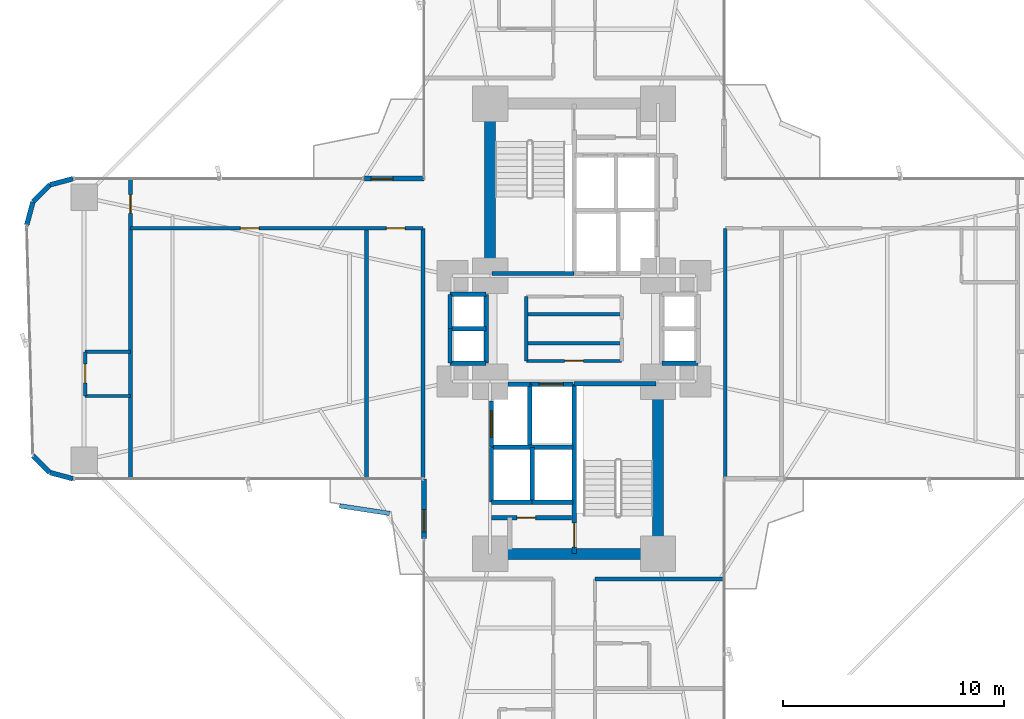
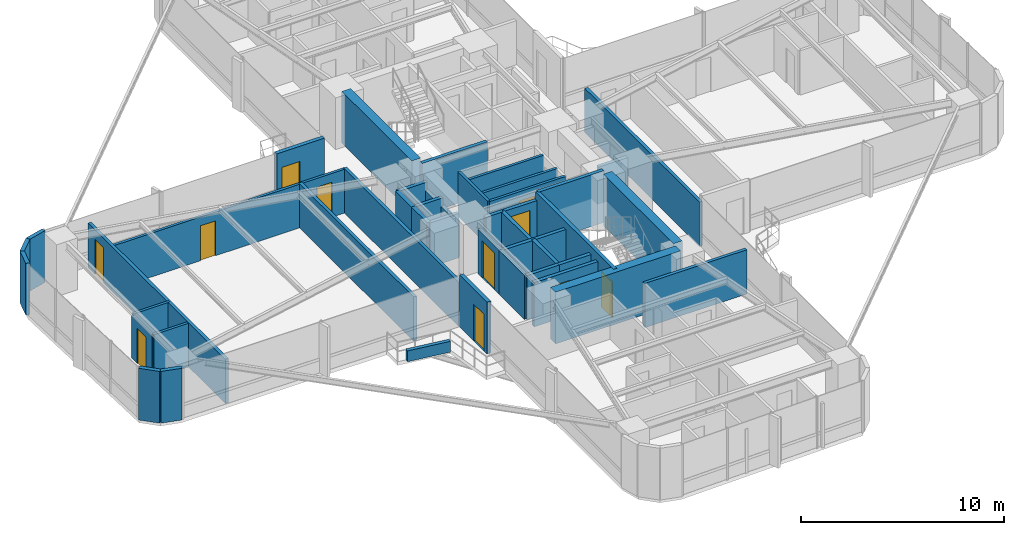
# One storey, part 22 of 25: 44 walls, 11 doors, 11 openings.
"""IFC4 building model written with IfcOpenShell, lengths in metres."""

from ifc_helpers import new_model, si_unit, direction, frame, frame_2d, origin, origin_2d, place, context, subcontext, project, spatial, rectangle, extrude, source, transform, mapped, material, layer, layer_set, type_object, element, fill, save


model = new_model("IFC4")

# Units and contexts
model_context = context("Model", 3, precision=1e-05, world=origin(), true_north=direction((0.0, 1.0)))
body_context = subcontext(model_context, "Body", "Model", "MODEL_VIEW")
ifc_project = project(units=[si_unit("LENGTHUNIT", "METRE"), si_unit("AREAUNIT", "SQUARE_METRE"), si_unit("VOLUMEUNIT", "CUBIC_METRE"), si_unit("PLANEANGLEUNIT", "RADIAN"), si_unit("MASSUNIT", "GRAM", prefix="KILO")], contexts=[model_context])

# Site, building, storey
site_placement = place(None, origin())
site = spatial("IfcSite", under=ifc_project, at=site_placement, CompositionType="ELEMENT")
building_placement = place(site_placement, origin())
building = spatial("IfcBuilding", under=site, at=building_placement, Name="Sahyath Konkavel Grand Hotel", CompositionType="ELEMENT")
storey_placement = place(building_placement, frame((0.0, 0.0, 36.5)))
storey = spatial("IfcBuildingStorey", under=building, at=storey_placement, Name="L09", CompositionType="ELEMENT", Elevation=36.5)

# Walls
ifc_material_1 = material(Name="Concrete C70/85", Category="concrete")
ifc_layer_1 = layer(ifc_material_1, 0.5)
ifc_layer_set_1 = layer_set([ifc_layer_1], Name="Concrete C70/85")
wall_type_1 = type_object("IfcWallType", Name="CWALL-500", PredefinedType="SHEAR", material=ifc_layer_set_1)
wall_1_placement = place(storey_placement, frame((-3.800048828125, 2.85009765625, 0.0), z_axis=(0.0, 0.0, 1.0), x_axis=(0.0, 1.0, 0.0)))
element("IfcWall", 1, at=wall_1_placement, inside=storey, type_object=wall_type_1, Name="L09 North Core Shear Wall W", PredefinedType="SHEAR", context=body_context, shape_type="SweptSolid", body=[
    extrude(rectangle(XDim=6.89990234375, YDim=0.5, at=frame_2d((3.449951171875, 0.0))), origin(), (0.0, 0.0, 1.0), 3.110107421875),
])
wall_2_placement = place(storey_placement, frame((-3.550048828125, -10.199951171875, 0.0), z_axis=(0.0, 0.0, 1.0), x_axis=(1.0, 0.0, 0.0)))
element("IfcWall", 2, at=wall_2_placement, inside=storey, type_object=wall_type_1, Name="L09 South Core Shear Wall S", PredefinedType="SHEAR", context=body_context, shape_type="SweptSolid", body=[
    extrude(rectangle(XDim=7.10009765625, YDim=0.5, at=frame_2d((3.550048828125, 0.0))), origin(), (0.0, 0.0, 1.0), 3.110107421875),
])
wall_3_placement = place(storey_placement, frame((3.800048828125, -9.75, 0.0), z_axis=(0.0, 0.0, 1.0), x_axis=(0.0, 1.0, 0.0)))
element("IfcWall", 3, at=wall_3_placement, inside=storey, type_object=wall_type_1, Name="L09 South Core Shear Wall E", PredefinedType="SHEAR", context=body_context, shape_type="SweptSolid", body=[
    extrude(rectangle(XDim=6.89990234375, YDim=0.5, at=frame_2d((3.449951171875, 0.0))), origin(), (0.0, 0.0, 1.0), 3.110107421875),
])

# Wall, opening, door
ifc_material_2 = material(Name="Warm Buff Sandstone Insulated Concrete C40/50", Category="masonry")
ifc_layer_2 = layer(ifc_material_2, 0.219970703125)
ifc_layer_set_2 = layer_set([ifc_layer_2], Name="Warm Buff Sandstone Insulated Concrete C40/50")
wall_type_2 = type_object("IfcWallType", Name="WLL-BALC-THRESH", PredefinedType="STANDARD", material=ifc_layer_set_2)
wall_4_placement = place(storey_placement, frame((-6.800048828125, 6.800048828125, 0.0), z_axis=(0.0, 0.0, 1.0), x_axis=(-1.0, 0.0, 0.0)))
wall_4 = element("IfcWall", 4, at=wall_4_placement, inside=storey, type_object=wall_type_2, Name="L09 Winter-Garden Threshold Wall 16", PredefinedType="STANDARD", context=body_context, shape_type="SweptSolid", body=[
    extrude(rectangle(XDim=2.699951171875, YDim=0.219970703125, at=frame_2d((1.35009765625, 0.0))), origin(), (0.0, 0.0, 1.0), 3.110107421875),
])
opening_1_placement = place(wall_4_placement, frame((1.39990234375, 0.0, 0.0)))
opening_1 = element("IfcOpeningElement", 5, at=opening_1_placement, cuts=wall_4, Name="Opening D-TR1", PredefinedType="OPENING", context=body_context, shape_type="SweptSolid", body=[
    extrude(rectangle(XDim=1.0, YDim=2.199951171875, at=frame_2d((0.5, 1.10009765625))), frame((0.0, 0.1201171875, 0.0), z_axis=(0.0, -1.0, 0.0), x_axis=(1.0, 0.0, 0.0)), (0.0, 0.0, 1.0), 0.239990234375),
])
ifc_material_3 = material(Name="Anodised Bronze Aluminium & Low-E Glazing", Category="aluminium")
door_type_1 = type_object("IfcDoorType", Name="DR-TERRACE-1000", OperationType="NOTDEFINED", PredefinedType="DOOR", material=ifc_material_3)
shared_shape_1 = source(origin(), body_context, "Body", "SweptSolid", [
    extrude(rectangle(XDim=1.0, YDim=0.050048828125, at=origin_2d()), origin(), (0.0, 0.0, 1.0), 2.199951171875),
])
door_1_placement = place(opening_1_placement, frame((0.5, 0.0, 0.0)))
door_1 = element("IfcDoor", 6, at=door_1_placement, inside=storey, type_object=door_type_1, Name="L09 Winter-Garden Terrace Door 16", OperationType="SINGLE_SWING_LEFT", OverallHeight=2.199951171875, OverallWidth=1.0, PredefinedType="DOOR", context=body_context, shape_type="MappedRepresentation", body=[
    mapped(shared_shape_1, transform((0.0, 0.0, 0.0), scale=1.0)),
])
fill(opening_1, door_1)

# Walls
for number, where, z_axis, x_axis, name in (
    (7, (-22.699951171875, 6.800048828125, 0.0), (0.0, 0.0, 1.0), (-0.965951058412, -0.25872485917, 0.0), "L09 Rounded Corner Sandstone Pier 17"),
    (8, (-23.75, 6.518798828125, 0.0), (0.0, 0.0, 1.0), (-0.707106781187, -0.707106781187, 0.0), "L09 Rounded Corner Sandstone Pier 18"),
    (9, (-24.518798828125, 5.75, 0.0), (0.0, 0.0, 1.0), (-0.25872485917, -0.965951058412, 0.0), "L09 Rounded Corner Sandstone Pier 19"),
    (10, (-24.518798828125, -5.75, 0.0), (0.0, 0.0, 1.0), (0.707106781187, -0.707106781187, 0.0), "L09 Rounded Corner Sandstone Pier 21"),
    (11, (-23.75, -6.518798828125, 0.0), (0.0, 0.0, 1.0), (0.965951058412, -0.25872485917, 0.0), "L09 Rounded Corner Sandstone Pier 22"),
):
    element("IfcWall", number, at=place(storey_placement, frame(where, z_axis=z_axis, x_axis=x_axis)), inside=storey, type_object=wall_type_2, Name=name, PredefinedType="STANDARD", context=body_context, shape_type="SweptSolid", body=[
        extrude(rectangle(XDim=1.087158203125, YDim=0.219970703125, at=frame_2d((0.54345703125, 0.0))), origin(), (0.0, 0.0, 1.0), 3.110107421875),
    ])

# Wall, opening, door
wall_5_placement = place(storey_placement, frame((-6.800048828125, -6.800048828125, 0.0), z_axis=(0.0, 0.0, 1.0), x_axis=(0.0, -1.0, 0.0)))
wall_5 = element("IfcWall", 12, at=wall_5_placement, inside=storey, type_object=wall_type_2, Name="L09 Winter-Garden Threshold Wall 24", PredefinedType="STANDARD", context=body_context, shape_type="SweptSolid", body=[
    extrude(rectangle(XDim=2.699951171875, YDim=0.219970703125, at=frame_2d((1.35009765625, 0.0))), origin(), (0.0, 0.0, 1.0), 3.110107421875),
])
opening_2_placement = place(wall_5_placement, frame((1.39990234375, 0.0, 0.0)))
opening_2 = element("IfcOpeningElement", 13, at=opening_2_placement, cuts=wall_5, Name="Opening D-TR1", PredefinedType="OPENING", context=body_context, shape_type="SweptSolid", body=[
    extrude(rectangle(XDim=1.0, YDim=2.199951171875, at=frame_2d((0.5, 1.10009765625))), frame((0.0, 0.1201171875, 0.0), z_axis=(0.0, -1.0, 0.0), x_axis=(1.0, 0.0, 0.0)), (0.0, 0.0, 1.0), 0.239990234375),
])
door_2_placement = place(opening_2_placement, frame((0.5, 0.0, 0.0)))
door_2 = element("IfcDoor", 14, at=door_2_placement, inside=storey, type_object=door_type_1, Name="L09 Winter-Garden Terrace Door 24", OperationType="SINGLE_SWING_LEFT", OverallHeight=2.199951171875, OverallWidth=1.0, PredefinedType="DOOR", context=body_context, shape_type="MappedRepresentation", body=[
    mapped(shared_shape_1, transform((0.0, 0.0, 0.0), scale=1.0)),
])
fill(opening_2, door_2)

# Wall
ifc_material_4 = material(Name="Concrete C40/50", Category="concrete")
ifc_layer_3 = layer(ifc_material_4, 0.199951171875)
ifc_layer_set_3 = layer_set([ifc_layer_3], Name="Concrete C40/50")
wall_type_3 = type_object("IfcWallType", Name="WLL-CORE-200", PredefinedType="SOLIDWALL", material=ifc_layer_set_3)
wall_6_placement = place(storey_placement, frame((-3.719970703125, 2.5, 0.0), z_axis=(0.0, 0.0, 1.0), x_axis=(1.0, 0.0, 0.0)))
element("IfcWall", 15, at=wall_6_placement, inside=storey, type_object=wall_type_3, Name="L09 Stair ST-1 Shaft Wall S", PredefinedType="SOLIDWALL", context=body_context, shape_type="SweptSolid", body=[
    extrude(rectangle(XDim=3.719970703125, YDim=0.199951171875, at=frame_2d((1.85986328125, 0.0))), origin(), (0.0, 0.0, 1.0), 3.110107421875),
])

# Wall, opening, door
wall_7_placement = place(storey_placement, frame((0.0, -10.179931640625, 0.0), z_axis=(0.0, 0.0, 1.0), x_axis=(0.0, 1.0, 0.0)))
wall_7 = element("IfcWall", 16, at=wall_7_placement, inside=storey, type_object=wall_type_3, Name="L09 Stair ST-2 Shaft Wall W", PredefinedType="SOLIDWALL", context=body_context, shape_type="SweptSolid", body=[
    extrude(rectangle(XDim=7.679931640625, YDim=0.199951171875, at=frame_2d((3.83984375, 0.0))), origin(), (0.0, 0.0, 1.0), 3.110107421875),
])
opening_3_placement = place(wall_7_placement, frame((0.280029296875, 0.0, 0.0)))
opening_3 = element("IfcOpeningElement", 17, at=opening_3_placement, cuts=wall_7, Name="Opening D-F12B", PredefinedType="OPENING", context=body_context, shape_type="SweptSolid", body=[
    extrude(rectangle(XDim=1.10009765625, YDim=2.14990234375, at=frame_2d((0.550048828125, 1.074951171875))), frame((0.0, 0.10986328125, 0.0), z_axis=(0.0, -1.0, 0.0), x_axis=(1.0, 0.0, 0.0)), (0.0, 0.0, 1.0), 0.219970703125),
])
ifc_material_5 = material(Name="Steel E350 Smokeproof Fire Door", Category="steel")
door_type_2 = type_object("IfcDoorType", Name="DR-FD120-1100", OperationType="NOTDEFINED", PredefinedType="DOOR", material=ifc_material_5)
shared_shape_2 = source(origin(), body_context, "Body", "SweptSolid", [
    extrude(rectangle(XDim=1.10009765625, YDim=0.050048828125, at=origin_2d()), origin(), (0.0, 0.0, 1.0), 2.14990234375),
])
door_3_placement = place(opening_3_placement, frame((0.550048828125, 0.0, 0.0)))
door_3 = element("IfcDoor", 18, at=door_3_placement, inside=storey, type_object=door_type_2, Name="L09 Stair ST-2 Fire Door", OperationType="SINGLE_SWING_LEFT", OverallHeight=2.14990234375, OverallWidth=1.10009765625, PredefinedType="DOOR", context=body_context, shape_type="MappedRepresentation", body=[
    mapped(shared_shape_2, transform((0.0, 0.0, 0.0), scale=1.0)),
])
fill(opening_3, door_3)

# Walls
wall_8_placement = place(storey_placement, frame((0.0, -2.5, 0.0), z_axis=(0.0, 0.0, 1.0), x_axis=(1.0, 0.0, 0.0)))
element("IfcWall", 19, at=wall_8_placement, inside=storey, type_object=wall_type_3, Name="L09 Stair ST-2 Shaft Wall N", PredefinedType="SOLIDWALL", context=body_context, shape_type="SweptSolid", body=[
    extrude(rectangle(XDim=3.719970703125, YDim=0.199951171875, at=frame_2d((1.85986328125, 0.0))), origin(), (0.0, 0.0, 1.0), 3.110107421875),
])
wall_9_placement = place(storey_placement, frame((-2.0, -5.280029296875, 0.0), z_axis=(0.0, 0.0, 1.0), x_axis=(0.0, 1.0, 0.0)))
element("IfcWall", 20, at=wall_9_placement, inside=storey, type_object=wall_type_3, Name="L09 Partition SH-FFL2-W", PredefinedType="SOLIDWALL", context=body_context, shape_type="SweptSolid", body=[
    extrude(rectangle(XDim=2.780029296875, YDim=0.199951171875, at=frame_2d((1.39013671875, 0.0))), origin(), (0.0, 0.0, 1.0), 2.659912109375),
])

# Wall, opening, door
wall_10_placement = place(storey_placement, frame((-2.0, -2.52001953125, 0.0), z_axis=(0.0, 0.0, 1.0), x_axis=(1.0, 0.0, 0.0)))
wall_10 = element("IfcWall", 21, at=wall_10_placement, inside=storey, type_object=wall_type_3, Name="L09 Partition SH-FFL2-N", PredefinedType="SOLIDWALL", context=body_context, shape_type="SweptSolid", body=[
    extrude(rectangle(XDim=1.949951171875, YDim=0.199951171875, at=frame_2d((0.97509765625, 0.0))), origin(), (0.0, 0.0, 1.0), 2.659912109375),
])
opening_4_placement = place(wall_10_placement, frame((0.419921875, 0.0, 0.0)))
opening_4 = element("IfcOpeningElement", 22, at=opening_4_placement, cuts=wall_10, Name="Opening LD-11", PredefinedType="OPENING", context=body_context, shape_type="SweptSolid", body=[
    extrude(rectangle(XDim=1.10009765625, YDim=2.199951171875, at=frame_2d((0.550048828125, 1.10009765625))), frame((0.0, 0.10986328125, 0.0), z_axis=(0.0, -1.0, 0.0), x_axis=(1.0, 0.0, 0.0)), (0.0, 0.0, 1.0), 0.219970703125),
])
ifc_material_6 = material(Name="Bronze Lift Landing Door 1100")
door_type_3 = type_object("IfcDoorType", Name="DR-LIFT-1100", OperationType="DOUBLE_DOOR_SLIDING", PredefinedType="DOOR", material=ifc_material_6)
shared_shape_3 = source(origin(), body_context, "Body", "SweptSolid", [
    extrude(rectangle(XDim=1.10009765625, YDim=0.050048828125, at=origin_2d()), origin(), (0.0, 0.0, 1.0), 2.199951171875),
])
door_4_placement = place(opening_4_placement, frame((0.550048828125, 0.0, 0.0)))
door_4 = element("IfcDoor", 23, at=door_4_placement, inside=storey, type_object=door_type_3, Name="L09 Lift FFL-2 Landing Door", OperationType="DOUBLE_DOOR_SLIDING", OverallHeight=2.199951171875, OverallWidth=1.10009765625, PredefinedType="DOOR", context=body_context, shape_type="MappedRepresentation", body=[
    mapped(shared_shape_3, transform((0.0, 0.0, 0.0), scale=1.0)),
])
fill(opening_4, door_4)

# Wall
wall_11_placement = place(storey_placement, frame((-3.0, -2.52001953125, 0.0), z_axis=(0.0, 0.0, 1.0), x_axis=(1.0, 0.0, 0.0)))
element("IfcWall", 24, at=wall_11_placement, inside=storey, type_object=wall_type_3, Name="L09 Partition SH-SVL2-N", PredefinedType="SOLIDWALL", context=body_context, shape_type="SweptSolid", body=[
    extrude(rectangle(XDim=1.0, YDim=0.199951171875, at=frame_2d((0.5, 0.0))), origin(), (0.0, 0.0, 1.0), 2.659912109375),
])

# Wall, opening, door
wall_12_placement = place(storey_placement, frame((-3.739990234375, -5.360107421875, 0.0), z_axis=(0.0, 0.0, 1.0), x_axis=(0.0, 1.0, 0.0)))
wall_12 = element("IfcWall", 25, at=wall_12_placement, inside=storey, type_object=wall_type_3, Name="L09 Partition SH-SVL2-W", PredefinedType="SOLIDWALL", context=body_context, shape_type="SweptSolid", body=[
    extrude(rectangle(XDim=2.080078125, YDim=0.199951171875, at=frame_2d((1.0400390625, 0.0))), origin(), (0.0, 0.0, 1.0), 2.659912109375),
])
opening_5_placement = place(wall_12_placement, frame((0.43994140625, 0.0, 0.0)))
opening_5 = element("IfcOpeningElement", 26, at=opening_5_placement, cuts=wall_12, Name="Opening LD-12", PredefinedType="OPENING", context=body_context, shape_type="SweptSolid", body=[
    extrude(rectangle(XDim=1.199951171875, YDim=2.199951171875, at=frame_2d((0.60009765625, 1.10009765625))), frame((0.0, 0.10986328125, 0.0), z_axis=(0.0, -1.0, 0.0), x_axis=(1.0, 0.0, 0.0)), (0.0, 0.0, 1.0), 0.219970703125),
])
ifc_material_7 = material(Name="Stainless Steel Lift Landing Door 1200", Category="steel")
door_type_4 = type_object("IfcDoorType", Name="DR-LIFT-1200", OperationType="DOUBLE_DOOR_SLIDING", PredefinedType="DOOR", material=ifc_material_7)
shared_shape_4 = source(origin(), body_context, "Body", "SweptSolid", [
    extrude(rectangle(XDim=1.199951171875, YDim=0.050048828125, at=origin_2d()), origin(), (0.0, 0.0, 1.0), 2.199951171875),
])
door_5_placement = place(opening_5_placement, frame((0.60009765625, 0.0, 0.0)))
door_5 = element("IfcDoor", 27, at=door_5_placement, inside=storey, type_object=door_type_4, Name="L09 Service Lift SVL-2 Landing Door", OperationType="DOUBLE_DOOR_SLIDING", OverallHeight=2.199951171875, OverallWidth=1.199951171875, PredefinedType="DOOR", context=body_context, shape_type="MappedRepresentation", body=[
    mapped(shared_shape_4, transform((0.0, 0.0, 0.0), scale=1.0)),
])
fill(opening_5, door_5)

# Walls
wall_13_placement = place(storey_placement, frame((-3.739990234375, -7.860107421875, 0.0), z_axis=(0.0, 0.0, 1.0), x_axis=(0.0, 1.0, 0.0)))
element("IfcWall", 28, at=wall_13_placement, inside=storey, type_object=wall_type_3, Name="L09 Partition SH-PL3-W", PredefinedType="SOLIDWALL", context=body_context, shape_type="SweptSolid", body=[
    extrude(rectangle(XDim=2.480224609375, YDim=0.199951171875, at=frame_2d((1.240234375, 0.0))), origin(), (0.0, 0.0, 1.0), 2.659912109375),
])
wall_14_placement = place(storey_placement, frame((-3.739990234375, -7.860107421875, 0.0), z_axis=(0.0, 0.0, 1.0), x_axis=(1.0, 0.0, 0.0)))
element("IfcWall", 29, at=wall_14_placement, inside=storey, type_object=wall_type_3, Name="L09 Partition SH-PL3-S", PredefinedType="SOLIDWALL", context=body_context, shape_type="SweptSolid", body=[
    extrude(rectangle(XDim=1.840087890625, YDim=0.199951171875, at=frame_2d((0.919921875, 0.0))), origin(), (0.0, 0.0, 1.0), 2.659912109375),
])
wall_15_placement = place(storey_placement, frame((-3.739990234375, -5.3798828125, 0.0), z_axis=(0.0, 0.0, 1.0), x_axis=(1.0, 0.0, 0.0)))
element("IfcWall", 30, at=wall_15_placement, inside=storey, type_object=wall_type_3, Name="L09 Partition SH-PL34-N", PredefinedType="SOLIDWALL", context=body_context, shape_type="SweptSolid", body=[
    extrude(rectangle(XDim=3.68994140625, YDim=0.199951171875, at=frame_2d((1.844970703125, 0.0))), origin(), (0.0, 0.0, 1.0), 2.659912109375),
])
wall_16_placement = place(storey_placement, frame((-1.89990234375, -7.860107421875, 0.0), z_axis=(0.0, 0.0, 1.0), x_axis=(0.0, 1.0, 0.0)))
element("IfcWall", 31, at=wall_16_placement, inside=storey, type_object=wall_type_3, Name="L09 Partition SH-PL34-M", PredefinedType="SOLIDWALL", context=body_context, shape_type="SweptSolid", body=[
    extrude(rectangle(XDim=2.480224609375, YDim=0.199951171875, at=frame_2d((1.240234375, 0.0))), origin(), (0.0, 0.0, 1.0), 2.659912109375),
])
wall_17_placement = place(storey_placement, frame((-1.89990234375, -7.860107421875, 0.0), z_axis=(0.0, 0.0, 1.0), x_axis=(1.0, 0.0, 0.0)))
element("IfcWall", 32, at=wall_17_placement, inside=storey, type_object=wall_type_3, Name="L09 Partition SH-PL4-S", PredefinedType="SOLIDWALL", context=body_context, shape_type="SweptSolid", body=[
    extrude(rectangle(XDim=1.849853515625, YDim=0.199951171875, at=frame_2d((0.9248046875, 0.0))), origin(), (0.0, 0.0, 1.0), 2.659912109375),
])
wall_18_placement = place(storey_placement, frame((3.97998046875, -1.56005859375, 0.0), z_axis=(0.0, 0.0, 1.0), x_axis=(1.0, 0.0, 0.0)))
element("IfcWall", 33, at=wall_18_placement, inside=storey, type_object=wall_type_3, Name="L09 Partition SH-PL56-S", PredefinedType="SOLIDWALL", context=body_context, shape_type="SweptSolid", body=[
    extrude(rectangle(XDim=1.64013671875, YDim=0.199951171875, at=frame_2d((0.820068359375, 0.0))), origin(), (0.0, 0.0, 1.0), 2.659912109375),
])
wall_19_placement = place(storey_placement, frame((-3.97998046875, -1.56005859375, 0.0), z_axis=(0.0, 0.0, 1.0), x_axis=(0.0, 1.0, 0.0)))
element("IfcWall", 34, at=wall_19_placement, inside=storey, type_object=wall_type_3, Name="L09 Partition SH-SL12-E", PredefinedType="SOLIDWALL", context=body_context, shape_type="SweptSolid", body=[
    extrude(rectangle(XDim=3.1201171875, YDim=0.199951171875, at=frame_2d((1.56005859375, 0.0))), origin(), (0.0, 0.0, 1.0), 2.179931640625),
])
for number, where, z_axis, x_axis, name in (
    (35, (-5.6201171875, 1.56005859375, 0.0), (0.0, 0.0, 1.0), (1.0, 0.0, 0.0), "L09 Partition SH-SL12-N"),
    (36, (-5.6201171875, -1.56005859375, 0.0), (0.0, 0.0, 1.0), (1.0, 0.0, 0.0), "L09 Partition SH-SL12-S"),
    (37, (-5.6201171875, 0.0, 0.0), (0.0, 0.0, 1.0), (1.0, 0.0, 0.0), "L09 Partition SH-SL12-M"),
):
    element("IfcWall", number, at=place(storey_placement, frame(where, z_axis=z_axis, x_axis=x_axis)), inside=storey, type_object=wall_type_3, Name=name, PredefinedType="SOLIDWALL", context=body_context, shape_type="SweptSolid", body=[
        extrude(rectangle(XDim=1.64013671875, YDim=0.199951171875, at=frame_2d((0.820068359375, 0.0))), origin(), (0.0, 0.0, 1.0), 2.659912109375),
    ])
for number, where, z_axis, x_axis, name in (
    (38, (-5.6201171875, 0.0, 0.0), (0.0, 0.0, 1.0), (0.0, 1.0, 0.0), "L09 Partition SH-SL1-W"),
    (39, (-5.6201171875, -1.56005859375, 0.0), (0.0, 0.0, 1.0), (0.0, 1.0, 0.0), "L09 Partition SH-SL2-W"),
):
    element("IfcWall", number, at=place(storey_placement, frame(where, z_axis=z_axis, x_axis=x_axis)), inside=storey, type_object=wall_type_3, Name=name, PredefinedType="SOLIDWALL", context=body_context, shape_type="SweptSolid", body=[
        extrude(rectangle(XDim=1.56005859375, YDim=0.199951171875, at=frame_2d((0.780029296875, 0.0))), origin(), (0.0, 0.0, 1.0), 2.659912109375),
    ])

# Wall, opening, door
wall_20_placement = place(storey_placement, frame((-3.739990234375, -8.56005859375, 0.0), z_axis=(0.0, 0.0, 1.0), x_axis=(1.0, 0.0, 0.0)))
wall_20 = element("IfcWall", 40, at=wall_20_placement, inside=storey, type_object=wall_type_3, Name="L09 South FF Lobby Separation Wall", PredefinedType="SOLIDWALL", context=body_context, shape_type="SweptSolid", body=[
    extrude(rectangle(XDim=3.619873046875, YDim=0.199951171875, at=frame_2d((1.81005859375, 0.0))), origin(), (0.0, 0.0, 1.0), 2.659912109375),
])
opening_6_placement = place(wall_20_placement, frame((1.14990234375, 0.0, 0.0)))
opening_6 = element("IfcOpeningElement", 41, at=opening_6_placement, cuts=wall_20, Name="Opening D-F12D", PredefinedType="OPENING", context=body_context, shape_type="SweptSolid", body=[
    extrude(rectangle(XDim=0.85009765625, YDim=2.10009765625, at=frame_2d((0.425048828125, 1.050048828125))), frame((0.0, 0.10986328125, 0.0), z_axis=(0.0, -1.0, 0.0), x_axis=(1.0, 0.0, 0.0)), (0.0, 0.0, 1.0), 0.219970703125),
])
ifc_material_8 = material(Name="Steel E350 Core Fire Door", Category="steel")
door_type_5 = type_object("IfcDoorType", Name="DR-FD120-850", OperationType="NOTDEFINED", PredefinedType="DOOR", material=ifc_material_8)
shared_shape_5 = source(origin(), body_context, "Body", "SweptSolid", [
    extrude(rectangle(XDim=0.85009765625, YDim=0.050048828125, at=origin_2d()), origin(), (0.0, 0.0, 1.0), 2.10009765625),
])
door_6_placement = place(opening_6_placement, frame((0.425048828125, 0.0, 0.0)))
door_6 = element("IfcDoor", 42, at=door_6_placement, inside=storey, type_object=door_type_5, Name="L09 South Firefighting Lobby Door", OperationType="SINGLE_SWING_RIGHT", OverallHeight=2.10009765625, OverallWidth=0.85009765625, PredefinedType="DOOR", context=body_context, shape_type="MappedRepresentation", body=[
    mapped(shared_shape_5, transform((0.0, 0.0, 0.0), scale=1.0)),
])
fill(opening_6, door_6)

# Walls
ifc_material_9 = material(Name="Twin-Stud Acoustic Gypsum Plasterboard Partition")
ifc_layer_4 = layer(ifc_material_9, 0.179931640625)
ifc_layer_set_4 = layer_set([ifc_layer_4], Name="Twin-Stud Acoustic Gypsum Plasterboard Partition")
wall_type_4 = type_object("IfcWallType", Name="WLL-DEMISE-180", PredefinedType="PARTITIONING", material=ifc_layer_set_4)
for number, where, z_axis, x_axis, name in (
    (43, (6.85009765625, -6.75, 0.0), (0.0, 0.0, 1.0), (0.0, 1.0, 0.0), "L09 Partition E-G5I"),
    (44, (-6.85009765625, 4.550048828125, 0.0), (0.0, 0.0, 1.0), (0.0, -1.0, 0.0), "L09 Partition W-G6I"),
    (45, (-9.39990234375, 4.550048828125, 0.0), (0.0, 0.0, 1.0), (0.0, -1.0, 0.0), "L09 Partition W-WHK-DEM"),
):
    element("IfcWall", number, at=place(storey_placement, frame(where, z_axis=z_axis, x_axis=x_axis)), inside=storey, type_object=wall_type_4, Name=name, PredefinedType="PARTITIONING", context=body_context, shape_type="SweptSolid", body=[
        extrude(rectangle(XDim=11.300048828125, YDim=0.179931640625, at=frame_2d((5.64990234375, 0.0))), origin(), (0.0, 0.0, 1.0), 2.659912109375),
    ])

# Wall, opening, door
wall_21_placement = place(storey_placement, frame((-20.10009765625, 6.75, 0.0), z_axis=(0.0, 0.0, 1.0), x_axis=(0.0, -1.0, 0.0)))
wall_21 = element("IfcWall", 46, at=wall_21_placement, inside=storey, type_object=wall_type_4, Name="L09 Partition W-WTIP-END", PredefinedType="PARTITIONING", context=body_context, shape_type="SweptSolid", body=[
    extrude(rectangle(XDim=13.5, YDim=0.179931640625, at=frame_2d((6.75, 0.0))), origin(), (0.0, 0.0, 1.0), 2.659912109375),
])
opening_7_placement = place(wall_21_placement, frame((0.675048828125, 0.0, 0.0)))
opening_7 = element("IfcOpeningElement", 47, at=opening_7_placement, cuts=wall_21, Name="Opening D-F06D", PredefinedType="OPENING", context=body_context, shape_type="SweptSolid", body=[
    extrude(rectangle(XDim=0.85009765625, YDim=2.10009765625, at=frame_2d((0.425048828125, 1.050048828125))), frame((0.0, 0.10009765625, 0.0), z_axis=(0.0, -1.0, 0.0), x_axis=(1.0, 0.0, 0.0)), (0.0, 0.0, 1.0), 0.199951171875),
])
ifc_material_10 = material(Name="Fire-Rated Shaft Access Door")
door_type_6 = type_object("IfcDoorType", Name="DR-FD60-850", OperationType="NOTDEFINED", PredefinedType="DOOR", material=ifc_material_10)
door_7_placement = place(opening_7_placement, frame((0.425048828125, 0.0, 0.0)))
door_7 = element("IfcDoor", 48, at=door_7_placement, inside=storey, type_object=door_type_6, Name="L09 Door W-WTIP-ED", OperationType="SINGLE_SWING_LEFT", OverallHeight=2.10009765625, OverallWidth=0.85009765625, PredefinedType="DOOR", context=body_context, shape_type="MappedRepresentation", body=[
    mapped(shared_shape_5, transform((0.0, 0.0, 0.0), scale=1.0)),
])
fill(opening_7, door_7)

# Walls
wall_22_placement = place(storey_placement, frame((0.949951171875, -11.35009765625, 0.0), z_axis=(0.0, 0.0, 1.0), x_axis=(1.0, 0.0, 0.0)))
element("IfcWall", 49, at=wall_22_placement, inside=storey, type_object=wall_type_4, Name="L09 Partition S-INL", PredefinedType="PARTITIONING", context=body_context, shape_type="SweptSolid", body=[
    extrude(rectangle(XDim=5.800048828125, YDim=0.179931640625, at=frame_2d((2.89990234375, 0.0))), origin(), (0.0, 0.0, 1.0), 2.659912109375),
])
ifc_material_11 = material(Name="Fire-Rated Gypsum Plasterboard Partition")
ifc_layer_5 = layer(ifc_material_11, 0.14990234375)
ifc_layer_set_5 = layer_set([ifc_layer_5], Name="Fire-Rated Gypsum Plasterboard Partition")
wall_type_5 = type_object("IfcWallType", Name="WLL-PART-150", PredefinedType="PARTITIONING", material=ifc_layer_set_5)
wall_23_placement = place(storey_placement, frame((-2.159912109375, -1.4599609375, 0.0), z_axis=(0.0, 0.0, 1.0), x_axis=(0.0, 1.0, 0.0)))
element("IfcWall", 50, at=wall_23_placement, inside=storey, type_object=wall_type_5, Name="L09 Partition CC-2W", PredefinedType="PARTITIONING", context=body_context, shape_type="SweptSolid", body=[
    extrude(rectangle(XDim=2.919921875, YDim=0.14990234375, at=frame_2d((1.4599609375, 0.0))), origin(), (0.0, 0.0, 1.0), 2.659912109375),
])

# Wall, opening, door
wall_24_placement = place(storey_placement, frame((-2.159912109375, -1.4599609375, 0.0), z_axis=(0.0, 0.0, 1.0), x_axis=(1.0, 0.0, 0.0)))
wall_24 = element("IfcWall", 51, at=wall_24_placement, inside=storey, type_object=wall_type_5, Name="L09 Partition CC-2S", PredefinedType="PARTITIONING", context=body_context, shape_type="SweptSolid", body=[
    extrude(rectangle(XDim=4.31982421875, YDim=0.14990234375, at=frame_2d((2.159912109375, 0.0))), origin(), (0.0, 0.0, 1.0), 2.659912109375),
])
opening_8_placement = place(wall_24_placement, frame((1.72998046875, 0.0, 0.0)))
opening_8 = element("IfcOpeningElement", 52, at=opening_8_placement, cuts=wall_24, Name="Opening D-F06D", PredefinedType="OPENING", context=body_context, shape_type="SweptSolid", body=[
    extrude(rectangle(XDim=0.85009765625, YDim=2.10009765625, at=frame_2d((0.425048828125, 1.050048828125))), frame((0.0, 0.0849609375, 0.0), z_axis=(0.0, -1.0, 0.0), x_axis=(1.0, 0.0, 0.0)), (0.0, 0.0, 1.0), 0.169921875),
])
door_8_placement = place(opening_8_placement, frame((0.425048828125, 0.0, 0.0)))
door_8 = element("IfcDoor", 53, at=door_8_placement, inside=storey, type_object=door_type_6, Name="L09 Door CC-D2C", OperationType="SINGLE_SWING_RIGHT", OverallHeight=2.10009765625, OverallWidth=0.85009765625, PredefinedType="DOOR", context=body_context, shape_type="MappedRepresentation", body=[
    mapped(shared_shape_5, transform((0.0, 0.0, 0.0), scale=1.0)),
])
fill(opening_8, door_8)

# Walls
for number, where, z_axis, x_axis, name in (
    (54, (-2.159912109375, 0.659912109375, 0.0), (0.0, 0.0, 1.0), (1.0, 0.0, 0.0), "L09 Partition CC-2M1"),
    (55, (-2.159912109375, -0.659912109375, 0.0), (0.0, 0.0, 1.0), (1.0, 0.0, 0.0), "L09 Partition CC-2M2"),
):
    element("IfcWall", number, at=place(storey_placement, frame(where, z_axis=z_axis, x_axis=x_axis)), inside=storey, type_object=wall_type_5, Name=name, PredefinedType="PARTITIONING", context=body_context, shape_type="SweptSolid", body=[
        extrude(rectangle(XDim=4.31982421875, YDim=0.14990234375, at=frame_2d((2.159912109375, 0.0))), origin(), (0.0, 0.0, 1.0), 2.659912109375),
    ])

# Wall, openings, doors
wall_25_placement = place(storey_placement, frame((-6.85009765625, 4.550048828125, 0.0), z_axis=(0.0, 0.0, 1.0), x_axis=(-1.0, 0.0, 0.0)))
wall_25 = element("IfcWall", 56, at=wall_25_placement, inside=storey, type_object=wall_type_5, Name="L09 Partition W-G6W", PredefinedType="PARTITIONING", context=body_context, shape_type="SweptSolid", body=[
    extrude(rectangle(XDim=13.25, YDim=0.14990234375, at=frame_2d((6.625, 0.0))), origin(), (0.0, 0.0, 1.0), 2.6298828125),
])
opening_9_placement = place(wall_25_placement, frame((0.800048828125, 0.0, 0.0)))
opening_9 = element("IfcOpeningElement", 57, at=opening_9_placement, cuts=wall_25, Name="Opening D-F06D", PredefinedType="OPENING", context=body_context, shape_type="SweptSolid", body=[
    extrude(rectangle(XDim=0.85009765625, YDim=2.10009765625, at=frame_2d((0.425048828125, 1.050048828125))), frame((0.0, 0.0849609375, 0.0), z_axis=(0.0, -1.0, 0.0), x_axis=(1.0, 0.0, 0.0)), (0.0, 0.0, 1.0), 0.169921875),
])
opening_10_placement = place(wall_25_placement, frame((7.425048828125, 0.0, 0.0)))
opening_10 = element("IfcOpeningElement", 58, at=opening_10_placement, cuts=wall_25, Name="Opening D-F06D", PredefinedType="OPENING", context=body_context, shape_type="SweptSolid", body=[
    extrude(rectangle(XDim=0.85009765625, YDim=2.10009765625, at=frame_2d((0.425048828125, 1.050048828125))), frame((0.0, 0.0849609375, 0.0), z_axis=(0.0, -1.0, 0.0), x_axis=(1.0, 0.0, 0.0)), (0.0, 0.0, 1.0), 0.169921875),
])
door_9_placement = place(opening_9_placement, frame((0.425048828125, 0.0, 0.0)))
door_9 = element("IfcDoor", 59, at=door_9_placement, inside=storey, type_object=door_type_6, Name="L09 Door W-WHK-D", OperationType="SINGLE_SWING_RIGHT", OverallHeight=2.10009765625, OverallWidth=0.85009765625, PredefinedType="DOOR", context=body_context, shape_type="MappedRepresentation", body=[
    mapped(shared_shape_5, transform((0.0, 0.0, 0.0), scale=1.0)),
])
fill(opening_9, door_9)
door_10_placement = place(opening_10_placement, frame((0.425048828125, 0.0, 0.0)))
door_10 = element("IfcDoor", 60, at=door_10_placement, inside=storey, type_object=door_type_6, Name="L09 Door W-WSL6-D", OperationType="SINGLE_SWING_LEFT", OverallHeight=2.10009765625, OverallWidth=0.85009765625, PredefinedType="DOOR", context=body_context, shape_type="MappedRepresentation", body=[
    mapped(shared_shape_5, transform((0.0, 0.0, 0.0), scale=1.0)),
])
fill(opening_10, door_10)

# Walls
wall_26_placement = place(storey_placement, frame((-20.10009765625, -3.050048828125, 0.0), z_axis=(0.0, 0.0, 1.0), x_axis=(-1.0, 0.0, 0.0)))
element("IfcWall", 61, at=wall_26_placement, inside=storey, type_object=wall_type_5, Name="L09 Partition W-WTIP-BN", PredefinedType="PARTITIONING", context=body_context, shape_type="SweptSolid", body=[
    extrude(rectangle(XDim=2.0498046875, YDim=0.14990234375, at=frame_2d((1.02490234375, 0.0))), origin(), (0.0, 0.0, 1.0), 2.6298828125),
])
wall_27_placement = place(storey_placement, frame((-20.10009765625, -1.050048828125, 0.0), z_axis=(0.0, 0.0, 1.0), x_axis=(-1.0, 0.0, 0.0)))
element("IfcWall", 62, at=wall_27_placement, inside=storey, type_object=wall_type_5, Name="L09 Partition W-WTIP-BS", PredefinedType="PARTITIONING", context=body_context, shape_type="SweptSolid", body=[
    extrude(rectangle(XDim=2.0498046875, YDim=0.14990234375, at=frame_2d((1.02490234375, 0.0))), origin(), (0.0, 0.0, 1.0), 2.659912109375),
])

# Wall, opening, door
wall_28_placement = place(storey_placement, frame((-22.14990234375, -1.050048828125, 0.0), z_axis=(0.0, 0.0, 1.0), x_axis=(0.0, -1.0, 0.0)))
wall_28 = element("IfcWall", 63, at=wall_28_placement, inside=storey, type_object=wall_type_5, Name="L09 Partition W-WTIP-BE", PredefinedType="PARTITIONING", context=body_context, shape_type="SweptSolid", body=[
    extrude(rectangle(XDim=2.0, YDim=0.14990234375, at=frame_2d((1.0, 0.0))), origin(), (0.0, 0.0, 1.0), 2.580078125),
])
opening_11_placement = place(wall_28_placement, frame((0.550048828125, 0.0, 0.0)))
opening_11 = element("IfcOpeningElement", 64, at=opening_11_placement, cuts=wall_28, Name="Opening D-BT85", PredefinedType="OPENING", context=body_context, shape_type="SweptSolid", body=[
    extrude(rectangle(XDim=0.85009765625, YDim=2.10009765625, at=frame_2d((0.425048828125, 1.050048828125))), frame((0.0, 0.0849609375, 0.0), z_axis=(0.0, -1.0, 0.0), x_axis=(1.0, 0.0, 0.0)), (0.0, 0.0, 1.0), 0.169921875),
])
ifc_material_12 = material(Name="Moisture-Resistant Teak Bathroom Door")
door_type_7 = type_object("IfcDoorType", Name="DR-BATH-850", OperationType="NOTDEFINED", PredefinedType="DOOR", material=ifc_material_12)
door_11_placement = place(opening_11_placement, frame((0.425048828125, 0.0, 0.0)))
door_11 = element("IfcDoor", 65, at=door_11_placement, inside=storey, type_object=door_type_7, Name="L09 Door W-WTIP-BD", OperationType="SINGLE_SWING_RIGHT", OverallHeight=2.10009765625, OverallWidth=0.85009765625, PredefinedType="DOOR", context=body_context, shape_type="MappedRepresentation", body=[
    mapped(shared_shape_5, transform((0.0, 0.0, 0.0), scale=1.0)),
])
fill(opening_11, door_11)

# Wall
ifc_material_13 = material(Name="Warm Buff Sandstone Planter Wall", Category="masonry")
ifc_layer_6 = layer(ifc_material_13, 0.199951171875)
ifc_layer_set_6 = layer_set([ifc_layer_6], Name="Warm Buff Sandstone Planter Wall")
wall_type_6 = type_object("IfcWallType", Name="WLL-PLANTER-200", PredefinedType="PARAPET", material=ifc_layer_set_6)
wall_29_placement = place(storey_placement, frame((-10.622802734375, -8.0244140625, 0.0), z_axis=(0.0, 0.0, 1.0), x_axis=(0.988574583679, -0.150732519729, 0.0)))
element("IfcWall", 66, at=wall_29_placement, inside=storey, type_object=wall_type_6, Name="L09 Sky-Garden Stone Planter PLANTER SW", PredefinedType="PARAPET", context=body_context, shape_type="SweptSolid", body=[
    extrude(rectangle(XDim=2.285400390625, YDim=0.199951171875, at=frame_2d((1.142578125, 0.0))), origin(), (0.0, 0.0, 1.0), 0.64990234375),
])

save(model, "model.ifc")
